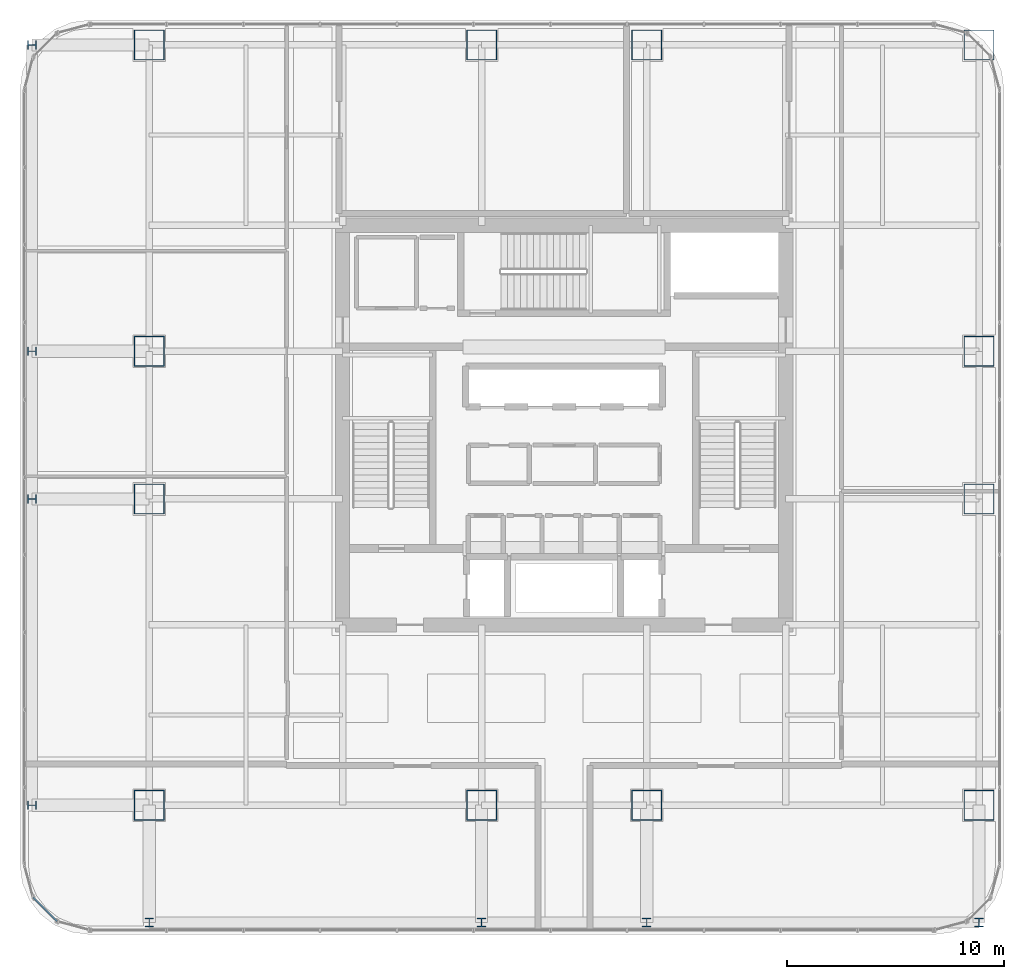
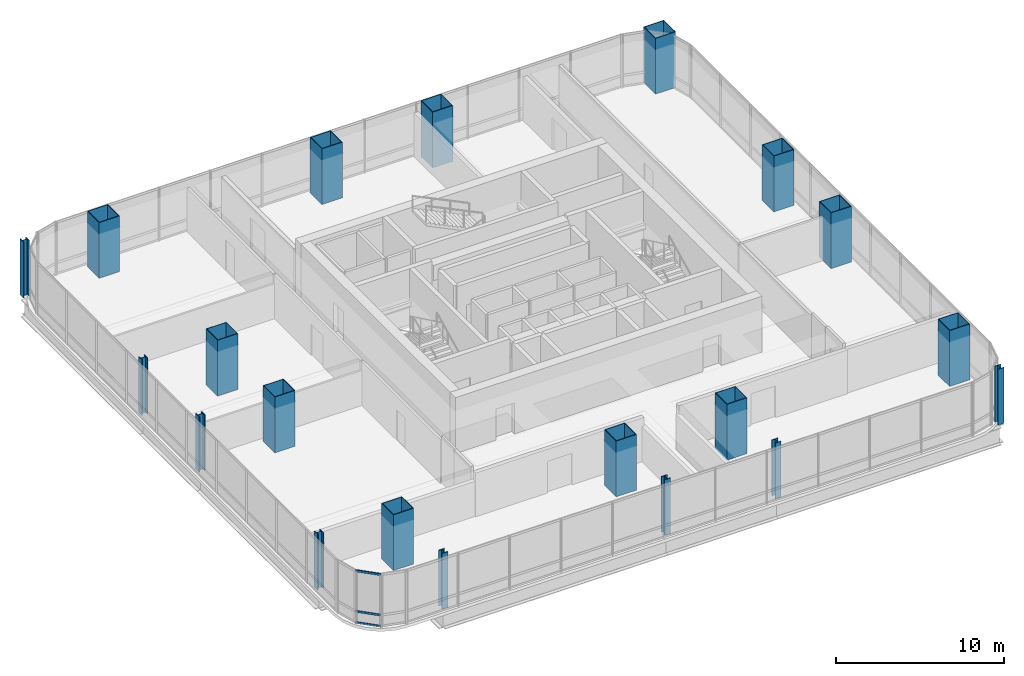
# One storey, part 1 of 36: 20 columns, 3 members, 1 element without a shape of its own.
"""IFC4 building model written with IfcOpenShell, lengths in metres."""

from ifc_helpers import new_model, si_unit, direction, frame, origin, origin_2d, place, context, subcontext, project, spatial, hollow_rectangle, i_section, extrude, material, material_profile, profile_set, type_object, element, aggregate, save


model = new_model("IFC4")

# Units and contexts
model_context = context("Model", 3, precision=1e-05, world=origin(), true_north=direction((0.0, 1.0)))
body_context = subcontext(model_context, "Body", "Model", "MODEL_VIEW")
ifc_project = project(units=[si_unit("LENGTHUNIT", "METRE"), si_unit("AREAUNIT", "SQUARE_METRE"), si_unit("VOLUMEUNIT", "CUBIC_METRE"), si_unit("PLANEANGLEUNIT", "RADIAN"), si_unit("MASSUNIT", "GRAM", prefix="KILO")], contexts=[model_context])

# Site, building, storey
site_placement = place(None, origin())
site = spatial("IfcSite", under=ifc_project, at=site_placement, CompositionType="ELEMENT")
building_placement = place(site_placement, origin())
building = spatial("IfcBuilding", under=site, at=building_placement, Name="Punatoya Terracotta Tower", CompositionType="ELEMENT")
storey_placement = place(building_placement, frame((0.0, 0.0, 196.5)))
storey = spatial("IfcBuildingStorey", under=building, at=storey_placement, Name="L46", CompositionType="ELEMENT", Elevation=196.5)

# Columns
ifc_material_1 = material(Name="Steel S460", Category="steel")
ifc_material_profile_1 = material_profile(ifc_material_1, i_section(OverallWidth=0.408935546875, OverallDepth=0.425048828125, WebThickness=0.031982421875, FlangeThickness=0.052001953125, FilletRadius=0.01806640625, at=origin_2d()))
ifc_profile_set_1 = profile_set([ifc_material_profile_1], Name="Steel S460")
column_type_1 = type_object("IfcColumnType", Name="COL-EX-M2", PredefinedType="COLUMN", material=ifc_profile_set_1)
for number, where, z_axis, x_axis, name in (
    (1, (-19.10009765625, -22.89990234375, 0.0), (0.0, 0.0, 1.0), (1.0, 0.0, 0.0), "L46 Exoskeleton Perimeter Column S1"),
    (2, (-3.800048828125, -22.89990234375, 0.0), (0.0, 0.0, 1.0), (1.0, 0.0, 0.0), "L46 Exoskeleton Perimeter Column S2"),
    (3, (3.800048828125, -22.89990234375, 0.0), (0.0, 0.0, 1.0), (1.0, 0.0, 0.0), "L46 Exoskeleton Perimeter Column S3"),
    (4, (19.10009765625, -22.89990234375, 0.0), (0.0, 0.0, 1.0), (1.0, 0.0, 0.0), "L46 Exoskeleton Perimeter Column S4"),
    (5, (-24.5, -17.5, 0.0), (0.0, 0.0, 1.0), (0.0, 1.0, 0.0), "L46 Exoskeleton Perimeter Column W1"),
    (6, (-24.5, -3.39990234375, 0.0), (0.0, 0.0, 1.0), (0.0, 1.0, 0.0), "L46 Exoskeleton Perimeter Column W2"),
    (7, (-24.5, 3.39990234375, 0.0), (0.0, 0.0, 1.0), (0.0, 1.0, 0.0), "L46 Exoskeleton Perimeter Column W3"),
    (8, (-24.5, 17.5, 0.0), (0.0, 0.0, 1.0), (0.0, 1.0, 0.0), "L46 Exoskeleton Perimeter Column W4"),
):
    element("IfcColumn", number, at=place(storey_placement, frame(where, z_axis=z_axis, x_axis=x_axis)), inside=storey, type_object=column_type_1, Name=name, PredefinedType="COLUMN", context=body_context, shape_type="SweptSolid", body=[
        extrude(i_section(OverallWidth=0.408935546875, OverallDepth=0.425048828125, WebThickness=0.031982421875, FlangeThickness=0.052001953125, FilletRadius=0.01806640625, at=origin_2d()), origin(), (0.0, 0.0, 1.0), 4.048095703125),
    ])
ifc_material_profile_2 = material_profile(ifc_material_1, hollow_rectangle(XDim=1.39990234375, YDim=1.39990234375, WallThickness=0.0419921875, at=origin_2d()))
ifc_profile_set_2 = profile_set([ifc_material_profile_2], Name="Steel S460")
column_type_2 = type_object("IfcColumnType", Name="COL-MC-Z2", PredefinedType="COLUMN", material=ifc_profile_set_2)
for number, where, z_axis, x_axis, name in (
    (9, (-19.10009765625, -17.5, 0.0), (0.0, 0.0, 1.0), (1.0, 0.0, 0.0), "L46 Composite Mega-Column MC-01 (3-B)"),
    (10, (-3.800048828125, -17.5, 0.0), (0.0, 0.0, 1.0), (1.0, 0.0, 0.0), "L46 Composite Mega-Column MC-02 (5-B)"),
    (11, (3.800048828125, -17.5, 0.0), (0.0, 0.0, 1.0), (1.0, 0.0, 0.0), "L46 Composite Mega-Column MC-03 (7-B)"),
    (12, (19.10009765625, -17.5, 0.0), (0.0, 0.0, 1.0), (1.0, 0.0, 0.0), "L46 Composite Mega-Column MC-04 (9-B)"),
    (13, (19.10009765625, -3.39990234375, 0.0), (0.0, 0.0, 1.0), (1.0, 0.0, 0.0), "L46 Composite Mega-Column MC-05 (9-D)"),
    (14, (19.10009765625, 3.39990234375, 0.0), (0.0, 0.0, 1.0), (1.0, 0.0, 0.0), "L46 Composite Mega-Column MC-06 (9-E)"),
    (15, (19.10009765625, 17.5, 0.0), (0.0, 0.0, 1.0), (1.0, 0.0, 0.0), "L46 Composite Mega-Column MC-07 (9-G)"),
    (16, (3.800048828125, 17.5, 0.0), (0.0, 0.0, 1.0), (1.0, 0.0, 0.0), "L46 Composite Mega-Column MC-08 (7-G)"),
    (17, (-3.800048828125, 17.5, 0.0), (0.0, 0.0, 1.0), (1.0, 0.0, 0.0), "L46 Composite Mega-Column MC-09 (5-G)"),
    (18, (-19.10009765625, 17.5, 0.0), (0.0, 0.0, 1.0), (1.0, 0.0, 0.0), "L46 Composite Mega-Column MC-10 (3-G)"),
    (19, (-19.10009765625, 3.39990234375, 0.0), (0.0, 0.0, 1.0), (1.0, 0.0, 0.0), "L46 Composite Mega-Column MC-11 (3-E)"),
    (20, (-19.10009765625, -3.39990234375, 0.0), (0.0, 0.0, 1.0), (1.0, 0.0, 0.0), "L46 Composite Mega-Column MC-12 (3-D)"),
):
    element("IfcColumn", number, at=place(storey_placement, frame(where, z_axis=z_axis, x_axis=x_axis)), inside=storey, type_object=column_type_2, Name=name, PredefinedType="COLUMN", context=body_context, shape_type="SweptSolid", body=[
        extrude(hollow_rectangle(XDim=1.39990234375, YDim=1.39990234375, WallThickness=0.0419921875, at=origin_2d()), origin(), (0.0, 0.0, 1.0), 4.050048828125),
    ])

# Curtain wall, members
ifc_material_2 = material(Name="Aluminium 6063-T6 + Double Low-E Glass", Category="aluminium")
curtain_wall_type = type_object("IfcCurtainWallType", Name="CW-M2", PredefinedType="NOTDEFINED", material=ifc_material_2)
curtain_wall_placement = place(storey_placement, origin())
curtain_wall = element("IfcCurtainWall", 21, at=curtain_wall_placement, inside=storey, type_object=curtain_wall_type, Name="L46 Curtain Wall CW-L46-CRN15", PredefinedType="NOTDEFINED")
ifc_material_3 = material(Name="Aluminium 6063-T6", Category="aluminium")
ifc_material_profile_3 = material_profile(ifc_material_3, hollow_rectangle(XDim=0.068115234375, YDim=0.14990234375, WallThickness=0.00390625, at=origin_2d()))
ifc_profile_set_3 = profile_set([ifc_material_profile_3], Name="Aluminium 6063-T6")
member_type = type_object("IfcMemberType", Name="CW-TRN-TYP", PredefinedType="USERDEFINED", material=ifc_profile_set_3)
member_1_placement = place(storey_placement, frame((-24.446533203125, -21.7490234375, 0.0400390625), z_axis=(0.707028130747, -0.707185422879, 0.0), x_axis=(0.707185422879, 0.707028130747, 0.0)))
member_1 = element("IfcMember", 22, at=member_1_placement, type_object=member_type, Name="CW-L46-CRN15 Transom 1", ObjectType="TRANSOM", PredefinedType="USERDEFINED", context=body_context, shape_type="SweptSolid", body=[
    extrude(hollow_rectangle(XDim=0.068115234375, YDim=0.14990234375, WallThickness=0.00390625, at=origin_2d()), origin(), (0.0, 0.0, 1.0), 1.55224609375),
])
member_2_placement = place(storey_placement, frame((-24.446533203125, -21.7490234375, 0.85009765625), z_axis=(0.707028130747, -0.707185422879, 0.0), x_axis=(0.707185422879, 0.707028130747, 0.0)))
member_2 = element("IfcMember", 23, at=member_2_placement, type_object=member_type, Name="CW-L46-CRN15 Transom 2", ObjectType="TRANSOM", PredefinedType="USERDEFINED", context=body_context, shape_type="SweptSolid", body=[
    extrude(hollow_rectangle(XDim=0.068115234375, YDim=0.14990234375, WallThickness=0.00390625, at=origin_2d()), origin(), (0.0, 0.0, 1.0), 1.55224609375),
])
member_3_placement = place(storey_placement, frame((-24.446533203125, -21.7490234375, 3.7900390625), z_axis=(0.707028130747, -0.707185422879, 0.0), x_axis=(0.707185422879, 0.707028130747, 0.0)))
member_3 = element("IfcMember", 24, at=member_3_placement, type_object=member_type, Name="CW-L46-CRN15 Transom 3", ObjectType="TRANSOM", PredefinedType="USERDEFINED", context=body_context, shape_type="SweptSolid", body=[
    extrude(hollow_rectangle(XDim=0.068115234375, YDim=0.14990234375, WallThickness=0.00390625, at=origin_2d()), origin(), (0.0, 0.0, 1.0), 1.55224609375),
])
aggregate(curtain_wall, [member_1, member_2, member_3])

save(model, "model.ifc")
